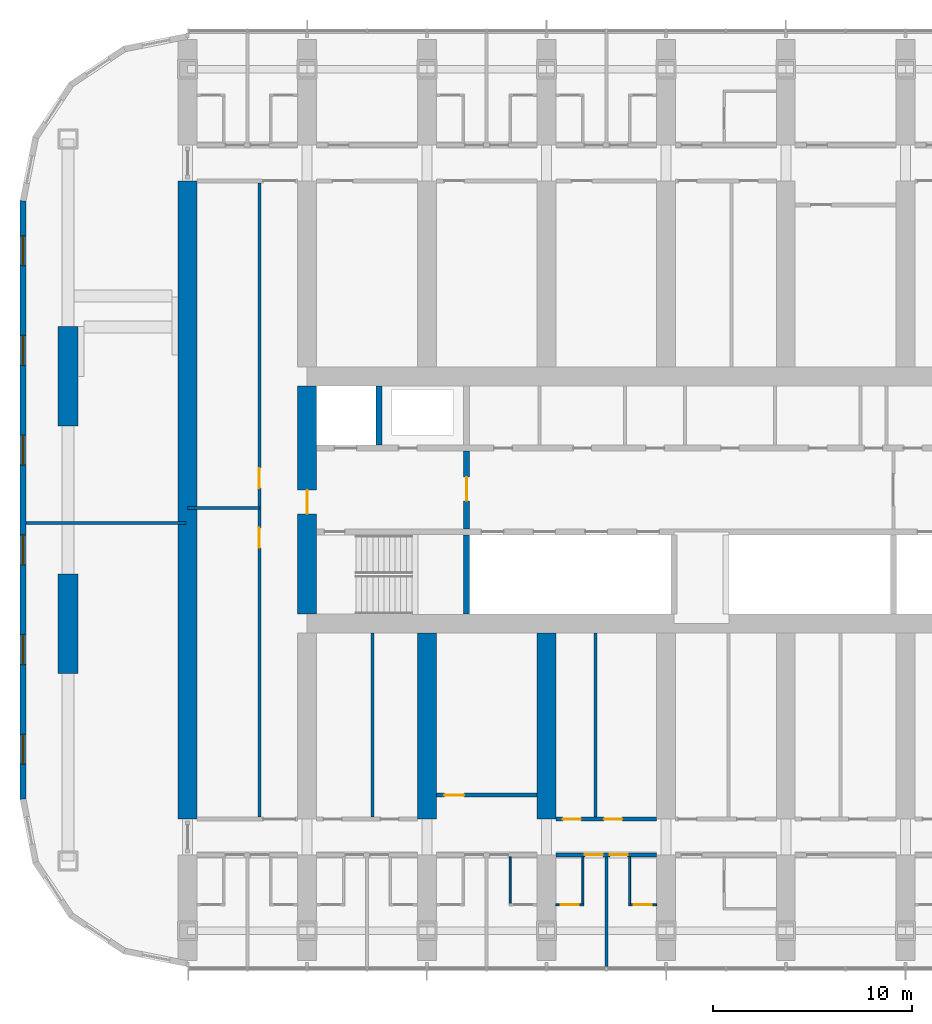
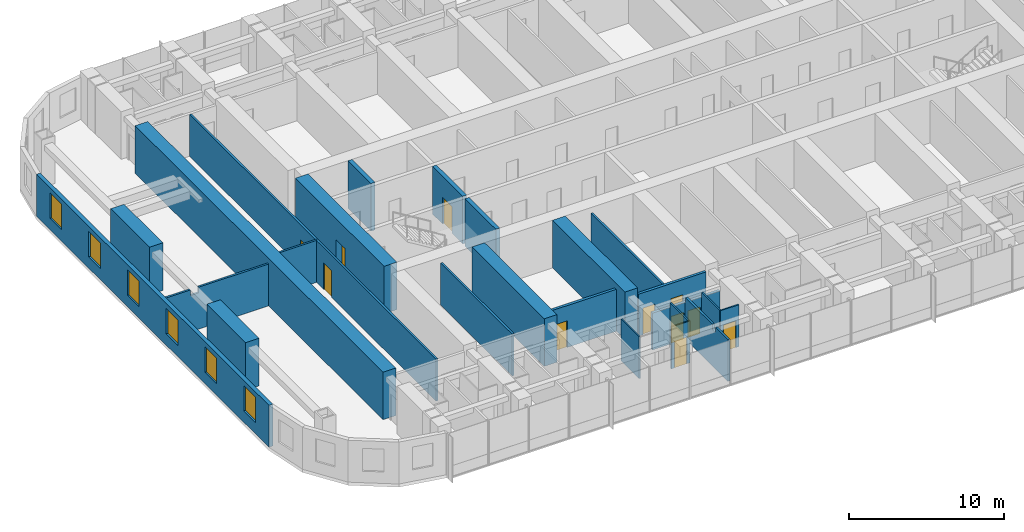
# One storey, part 9 of 22: 24 walls, 11 doors, 6 windows, 17 openings.
"""IFC4 building model written with IfcOpenShell, lengths in metres."""

from ifc_helpers import new_model, si_unit, direction, frame, frame_2d, origin, place, context, subcontext, project, spatial, polyline, rectangle, outline, extrude, material, layer, layer_set, type_object, element, fill, save


model = new_model("IFC4")

# Units and contexts
model_context = context("Model", 3, precision=1e-05, world=origin(), true_north=direction((0.0, 1.0)))
body_context = subcontext(model_context, "Body", "Model", "MODEL_VIEW")
ifc_project = project(units=[si_unit("LENGTHUNIT", "METRE"), si_unit("AREAUNIT", "SQUARE_METRE"), si_unit("VOLUMEUNIT", "CUBIC_METRE"), si_unit("PLANEANGLEUNIT", "RADIAN"), si_unit("MASSUNIT", "GRAM", prefix="KILO")], contexts=[model_context])

# Site, building, storey
site_placement = place(None, origin())
site = spatial("IfcSite", under=ifc_project, at=site_placement, CompositionType="ELEMENT")
building_placement = place(site_placement, origin())
building = spatial("IfcBuilding", under=site, at=building_placement, Name="Orbita Commons", CompositionType="ELEMENT")
storey_placement = place(building_placement, frame((0.0, 0.0, 80.64990234375)))
storey = spatial("IfcBuildingStorey", under=building, at=storey_placement, Name="L19", CompositionType="ELEMENT", Elevation=80.64990234375)

# Wall
ifc_material_1 = material(Name="Concrete C50/60", Category="concrete")
ifc_layer_1 = layer(ifc_material_1, 0.300048828125)
ifc_layer_set_1 = layer_set([ifc_layer_1], Name="Concrete C50/60")
wall_type_1 = type_object("IfcWallType", Name="Core inner wall 300 C50/60", PredefinedType="SHEAR", material=ifc_layer_set_1)
wall_1_placement = place(storey_placement, frame((26.0, 26.27490234375, 0.0), z_axis=(0.0, 0.0, 1.0), x_axis=(0.0, 1.0, 0.0)))
element("IfcWall", 1, at=wall_1_placement, inside=storey, type_object=wall_type_1, Name="Stair S1 wall L19", PredefinedType="SHEAR", context=body_context, shape_type="SweptSolid", body=[
    extrude(rectangle(XDim=3.97509765625, YDim=0.300048828125, at=frame_2d((1.987548828125, 0.0))), origin(), (0.0, 0.0, 1.0), 3.75),
])

# Wall, opening, door
wall_2_placement = place(storey_placement, frame((26.0, 30.550048828125, 0.0), z_axis=(0.0, 0.0, 1.0), x_axis=(0.0, 1.0, 0.0)))
wall_2 = element("IfcWall", 2, at=wall_2_placement, inside=storey, type_object=wall_type_1, Name="Firefighting lobby wall west L19", PredefinedType="SHEAR", context=body_context, shape_type="SweptSolid", body=[
    extrude(rectangle(XDim=3.89990234375, YDim=0.300048828125, at=frame_2d((1.949951171875, 0.0))), origin(), (0.0, 0.0, 1.0), 3.75),
])
opening_1_placement = place(wall_2_placement, frame((1.39990234375, 0.0, 0.0)))
opening_1 = element("IfcOpeningElement", 3, at=opening_1_placement, cuts=wall_2, Name="Opening D04", PredefinedType="OPENING", context=body_context, shape_type="SweptSolid", body=[
    extrude(rectangle(XDim=1.199951171875, YDim=2.10009765625, at=frame_2d((0.60009765625, 1.050048828125))), frame((0.0, 0.159912109375, 0.0), z_axis=(0.0, -1.0, 0.0), x_axis=(1.0, 0.0, 0.0)), (0.0, 0.0, 1.0), 0.320068359375),
])
ifc_material_2 = material(Name="Steel-faced fire door leaf", Category="steel")
door_type_1 = type_object("IfcDoorType", Name="Service door 20 min 1200x2100", OperationType="SINGLE_SWING_LEFT", PredefinedType="DOOR", material=ifc_material_2)
door_1_placement = place(opening_1_placement, origin())
door_1 = element("IfcDoor", 4, at=door_1_placement, inside=storey, type_object=door_type_1, Name="Lift lobby door west", OperationType="SINGLE_SWING_LEFT", OverallHeight=2.10009765625, OverallWidth=1.199951171875, PredefinedType="DOOR", context=body_context, shape_type="SweptSolid", body=[
    extrude(rectangle(XDim=1.199951171875, YDim=2.10009765625, at=frame_2d((0.60009765625, 1.050048828125))), frame((0.0, 0.02490234375, 0.0), z_axis=(0.0, -1.0, 0.0), x_axis=(1.0, 0.0, 0.0)), (0.0, 0.0, 1.0), 0.050048828125),
])
fill(opening_1, door_1)

# Wall
wall_3_placement = place(storey_placement, frame((21.60009765625, 34.75, 0.0), z_axis=(0.0, 0.0, 1.0), x_axis=(0.0, 1.0, 0.0)))
element("IfcWall", 5, at=wall_3_placement, inside=storey, type_object=wall_type_1, Name="Firefighting lift FL1 shaft wall L19", PredefinedType="SHEAR", context=body_context, shape_type="SweptSolid", body=[
    extrude(rectangle(XDim=2.97509765625, YDim=0.300048828125, at=frame_2d((1.487548828125, 0.0))), origin(), (0.0, 0.0, 1.0), 3.75),
])

# Wall, opening, door
ifc_material_3 = material(Name="Concrete C50/60", Category="concrete")
ifc_layer_2 = layer(ifc_material_3, 0.949951171875)
ifc_layer_set_2 = layer_set([ifc_layer_2], Name="Concrete C50/60")
wall_type_2 = type_object("IfcWallType", Name="Core wall 950 C50/60", PredefinedType="SHEAR", material=ifc_layer_set_2)
wall_4_placement = place(storey_placement, frame((18.0, 26.27490234375, 0.0), z_axis=(0.0, 0.0, 1.0), x_axis=(0.0, 1.0, 0.0)))
wall_4 = element("IfcWall", 6, at=wall_4_placement, inside=storey, type_object=wall_type_2, Name="Core end wall west L19", PredefinedType="SHEAR", context=body_context, shape_type="SweptSolid", body=[
    extrude(rectangle(XDim=11.4501953125, YDim=0.949951171875, at=frame_2d((5.72509765625, 0.0))), origin(), (0.0, 0.0, 1.0), 3.75),
])
opening_2_placement = place(wall_4_placement, frame((5.02490234375, 0.0, 0.0)))
opening_2 = element("IfcOpeningElement", 7, at=opening_2_placement, cuts=wall_4, Name="Opening D01", PredefinedType="OPENING", context=body_context, shape_type="SweptSolid", body=[
    extrude(rectangle(XDim=1.199951171875, YDim=2.10009765625, at=frame_2d((0.60009765625, 1.050048828125))), frame((0.0, 0.48486328125, 0.0), z_axis=(0.0, -1.0, 0.0), x_axis=(1.0, 0.0, 0.0)), (0.0, 0.0, 1.0), 0.969970703125),
])
ifc_material_4 = material(Name="Steel-faced fire door leaf", Category="steel")
door_type_2 = type_object("IfcDoorType", Name="Fire door 90 min 1200x2100", OperationType="SINGLE_SWING_LEFT", PredefinedType="DOOR", material=ifc_material_4)
door_2_placement = place(opening_2_placement, origin())
door_2 = element("IfcDoor", 8, at=door_2_placement, inside=storey, type_object=door_type_2, Name="Firefighting lobby west door", OperationType="SINGLE_SWING_LEFT", OverallHeight=2.10009765625, OverallWidth=1.199951171875, PredefinedType="DOOR", context=body_context, shape_type="SweptSolid", body=[
    extrude(rectangle(XDim=1.199951171875, YDim=2.10009765625, at=frame_2d((0.60009765625, 1.050048828125))), frame((0.0, 0.02490234375, 0.0), z_axis=(0.0, -1.0, 0.0), x_axis=(1.0, 0.0, 0.0)), (0.0, 0.0, 1.0), 0.050048828125),
])
fill(opening_2, door_2)

# Wall, openings, doors
ifc_material_5 = material(Name="Concrete blockwork", Category="masonry")
ifc_layer_3 = layer(ifc_material_5, 0.199951171875)
ifc_layer_set_3 = layer_set([ifc_layer_3], Name="Concrete blockwork")
wall_type_3 = type_object("IfcWallType", Name="Corridor wall 200 blockwork", PredefinedType="SOLIDWALL", material=ifc_layer_set_3)
wall_5_placement = place(storey_placement, frame((30.47509765625, 14.199951171875, 0.0), z_axis=(0.0, 0.0, 1.0), x_axis=(1.0, 0.0, 0.0)))
wall_5 = element("IfcWall", 9, at=wall_5_placement, inside=storey, type_object=wall_type_3, Name="Corridor wall 200 blockwork L19", PredefinedType="SOLIDWALL", context=body_context, shape_type="SweptSolid", body=[
    extrude(outline(polyline([(0.0, 0.0), (5.0498046875, 0.0), (5.050048828125, 2.900146484375), (0.0, 2.900146484375), (0.0, 0.0)])), frame((0.0, 0.10009765625, 0.0), z_axis=(0.0, -1.0, 0.0), x_axis=(1.0, 0.0, 0.0)), (0.0, 0.0, 1.0), 0.199951171875),
])
opening_3_placement = place(wall_5_placement, frame((1.449951171875, 0.0, 0.0)))
opening_3 = element("IfcOpeningElement", 10, at=opening_3_placement, cuts=wall_5, Name="Opening D11", PredefinedType="OPENING", context=body_context, shape_type="SweptSolid", body=[
    extrude(rectangle(XDim=0.89990234375, YDim=2.10009765625, at=frame_2d((0.449951171875, 1.050048828125))), frame((0.0, 0.10986328125, 0.0), z_axis=(0.0, -1.0, 0.0), x_axis=(1.0, 0.0, 0.0)), (0.0, 0.0, 1.0), 0.219970703125),
])
opening_4_placement = place(wall_5_placement, frame((2.699951171875, 0.0, 0.0)))
opening_4 = element("IfcOpeningElement", 11, at=opening_4_placement, cuts=wall_5, Name="Opening D11", PredefinedType="OPENING", context=body_context, shape_type="SweptSolid", body=[
    extrude(rectangle(XDim=0.89990234375, YDim=2.10009765625, at=frame_2d((0.449951171875, 1.050048828125))), frame((0.0, 0.10986328125, 0.0), z_axis=(0.0, -1.0, 0.0), x_axis=(1.0, 0.0, 0.0)), (0.0, 0.0, 1.0), 0.219970703125),
])
ifc_material_6 = material(Name="Steel-faced fire door leaf", Category="steel")
door_type_3 = type_object("IfcDoorType", Name="Corridor door 20 min 900x2100", OperationType="SINGLE_SWING_LEFT", PredefinedType="DOOR", material=ifc_material_6)
door_3_placement = place(opening_3_placement, origin())
door_3 = element("IfcDoor", 12, at=door_3_placement, inside=storey, type_object=door_type_3, Name="Cluster bedroom L19-S06 door", OperationType="SINGLE_SWING_LEFT", OverallHeight=2.10009765625, OverallWidth=0.89990234375, PredefinedType="DOOR", context=body_context, shape_type="SweptSolid", body=[
    extrude(rectangle(XDim=0.89990234375, YDim=2.10009765625, at=frame_2d((0.449951171875, 1.050048828125))), frame((0.0, 0.02490234375, 0.0), z_axis=(0.0, -1.0, 0.0), x_axis=(1.0, 0.0, 0.0)), (0.0, 0.0, 1.0), 0.050048828125),
])
fill(opening_3, door_3)
door_4_placement = place(opening_4_placement, origin())
door_4 = element("IfcDoor", 13, at=door_4_placement, inside=storey, type_object=door_type_3, Name="Cluster bedroom L19-S07 door", OperationType="SINGLE_SWING_LEFT", OverallHeight=2.10009765625, OverallWidth=0.89990234375, PredefinedType="DOOR", context=body_context, shape_type="SweptSolid", body=[
    extrude(rectangle(XDim=0.89990234375, YDim=2.10009765625, at=frame_2d((0.449951171875, 1.050048828125))), frame((0.0, 0.02490234375, 0.0), z_axis=(0.0, -1.0, 0.0), x_axis=(1.0, 0.0, 0.0)), (0.0, 0.0, 1.0), 0.050048828125),
])
fill(opening_4, door_4)

ifc_material_7 = material(Name="Hollow concrete block 200", Category="concrete")
ifc_layer_4 = layer(ifc_material_7, 0.199951171875)
ifc_layer_set_4 = layer_set([ifc_layer_4], Name="Hollow concrete block 200")
wall_type_4 = type_object("IfcWallType", Name="Corridor wall 200 hollow concrete block", PredefinedType="SOLIDWALL", material=ifc_layer_set_4)
wall_6_placement = place(storey_placement, frame((30.47509765625, 16.0, 0.0), z_axis=(0.0, 0.0, 1.0), x_axis=(1.0, 0.0, 0.0)))
wall_6 = element("IfcWall", 14, at=wall_6_placement, inside=storey, type_object=wall_type_4, Name="Corridor wall 200 hollow concrete block L19", PredefinedType="SOLIDWALL", context=body_context, shape_type="SweptSolid", body=[
    extrude(rectangle(XDim=5.0498046875, YDim=0.199951171875, at=frame_2d((2.52490234375, 0.0))), origin(), (0.0, 0.0, 1.0), 3.300048828125),
])
opening_5_placement = place(wall_6_placement, frame((0.35009765625, 0.0, 0.0)))
opening_5 = element("IfcOpeningElement", 15, at=opening_5_placement, cuts=wall_6, Name="Opening D11", PredefinedType="OPENING", context=body_context, shape_type="SweptSolid", body=[
    extrude(rectangle(XDim=0.89990234375, YDim=2.10009765625, at=frame_2d((0.449951171875, 1.050048828125))), frame((0.0, 0.10986328125, 0.0), z_axis=(0.0, -1.0, 0.0), x_axis=(1.0, 0.0, 0.0)), (0.0, 0.0, 1.0), 0.219970703125),
])
opening_6_placement = place(wall_6_placement, frame((2.4150390625, 0.0, 0.0)))
opening_6 = element("IfcOpeningElement", 16, at=opening_6_placement, cuts=wall_6, Name="Opening D11", PredefinedType="OPENING", context=body_context, shape_type="SweptSolid", body=[
    extrude(rectangle(XDim=0.89990234375, YDim=2.10009765625, at=frame_2d((0.449951171875, 1.050048828125))), frame((0.0, 0.10986328125, 0.0), z_axis=(0.0, -1.0, 0.0), x_axis=(1.0, 0.0, 0.0)), (0.0, 0.0, 1.0), 0.219970703125),
])
door_5_placement = place(opening_5_placement, origin())
door_5 = element("IfcDoor", 17, at=door_5_placement, inside=storey, type_object=door_type_3, Name="Equipment store L19-BDS30n door", OperationType="SINGLE_SWING_LEFT", OverallHeight=2.10009765625, OverallWidth=0.89990234375, PredefinedType="DOOR", context=body_context, shape_type="SweptSolid", body=[
    extrude(rectangle(XDim=0.89990234375, YDim=2.10009765625, at=frame_2d((0.449951171875, 1.050048828125))), frame((0.0, 0.02490234375, 0.0), z_axis=(0.0, -1.0, 0.0), x_axis=(1.0, 0.0, 0.0)), (0.0, 0.0, 1.0), 0.050048828125),
])
fill(opening_5, door_5)
door_6_placement = place(opening_6_placement, origin())
door_6 = element("IfcDoor", 18, at=door_6_placement, inside=storey, type_object=door_type_3, Name="Bicycle repair workshop L19-BDS30 door", OperationType="SINGLE_SWING_LEFT", OverallHeight=2.10009765625, OverallWidth=0.89990234375, PredefinedType="DOOR", context=body_context, shape_type="SweptSolid", body=[
    extrude(rectangle(XDim=0.89990234375, YDim=2.10009765625, at=frame_2d((0.449951171875, 1.050048828125))), frame((0.0, 0.02490234375, 0.0), z_axis=(0.0, -1.0, 0.0), x_axis=(1.0, 0.0, 0.0)), (0.0, 0.0, 1.0), 0.050048828125),
])
fill(opening_6, door_6)

# Wall, opening, door
wall_7_placement = place(storey_placement, frame((24.47509765625, 17.199951171875, 0.0), z_axis=(0.0, 0.0, 1.0), x_axis=(1.0, 0.0, 0.0)))
wall_7 = element("IfcWall", 19, at=wall_7_placement, inside=storey, type_object=wall_type_4, Name="Corridor wall 200 hollow concrete block L19", PredefinedType="SOLIDWALL", context=body_context, shape_type="SweptSolid", body=[
    extrude(rectangle(XDim=5.0498046875, YDim=0.199951171875, at=frame_2d((2.52490234375, 0.0))), origin(), (0.0, 0.0, 1.0), 3.300048828125),
])
opening_7_placement = place(wall_7_placement, frame((0.39990234375, 0.0, 0.0)))
opening_7 = element("IfcOpeningElement", 20, at=opening_7_placement, cuts=wall_7, Name="Opening D06", PredefinedType="OPENING", context=body_context, shape_type="SweptSolid", body=[
    extrude(rectangle(XDim=1.0, YDim=2.10009765625, at=frame_2d((0.5, 1.050048828125))), frame((0.0, 0.10986328125, 0.0), z_axis=(0.0, -1.0, 0.0), x_axis=(1.0, 0.0, 0.0)), (0.0, 0.0, 1.0), 0.219970703125),
])
ifc_material_8 = material(Name="Steel-faced fire door leaf", Category="steel")
door_type_4 = type_object("IfcDoorType", Name="Corridor door 20 min 1000x2100", OperationType="SINGLE_SWING_LEFT", PredefinedType="DOOR", material=ifc_material_8)
door_7_placement = place(opening_7_placement, origin())
door_7 = element("IfcDoor", 21, at=door_7_placement, inside=storey, type_object=door_type_4, Name="Quiet room L19-BDS24 door", OperationType="SINGLE_SWING_LEFT", OverallHeight=2.10009765625, OverallWidth=1.0, PredefinedType="DOOR", context=body_context, shape_type="SweptSolid", body=[
    extrude(rectangle(XDim=1.0, YDim=2.10009765625, at=frame_2d((0.5, 1.050048828125))), frame((0.0, 0.02490234375, 0.0), z_axis=(0.0, -1.0, 0.0), x_axis=(1.0, 0.0, 0.0)), (0.0, 0.0, 1.0), 0.050048828125),
])
fill(opening_7, door_7)

# Walls
ifc_material_9 = material(Name="Concrete C50/60", Category="concrete")
ifc_layer_5 = layer(ifc_material_9, 0.949951171875)
ifc_layer_set_5 = layer_set([ifc_layer_5], Name="Concrete C50/60")
wall_type_5 = type_object("IfcWallType", Name="Cross wall 950 C50/60", PredefinedType="SHEAR", material=ifc_layer_set_5)
wall_8_placement = place(storey_placement, frame((12.0, 16.0, 0.0), z_axis=(0.0, 0.0, 1.0), x_axis=(0.0, 1.0, 0.0)))
element("IfcWall", 22, at=wall_8_placement, inside=storey, type_object=wall_type_5, Name="Cross wall 3 inner L19", PredefinedType="SHEAR", context=body_context, shape_type="SweptSolid", body=[
    extrude(rectangle(XDim=32.0, YDim=0.949951171875, at=frame_2d((16.0, 0.0))), origin(), (0.0, 0.0, 1.0), 3.75),
])
for number, where, z_axis, x_axis, name in (
    (23, (24.0, 16.0, 0.0), (0.0, 0.0, 1.0), (0.0, 1.0, 0.0), "Cross wall 5 south inner L19"),
    (24, (30.0, 16.0, 0.0), (0.0, 0.0, 1.0), (0.0, 1.0, 0.0), "Cross wall 6 south inner L19"),
):
    element("IfcWall", number, at=place(storey_placement, frame(where, z_axis=z_axis, x_axis=x_axis)), inside=storey, type_object=wall_type_5, Name=name, PredefinedType="SHEAR", context=body_context, shape_type="SweptSolid", body=[
        extrude(rectangle(XDim=9.324951171875, YDim=0.949951171875, at=frame_2d((4.66259765625, 0.0))), origin(), (0.0, 0.0, 1.0), 3.75),
    ])
ifc_material_10 = material(Name="Moisture-resistant plasterboard on steel studs", Category="steel")
ifc_layer_6 = layer(ifc_material_10, 0.10009765625)
ifc_layer_set_6 = layer_set([ifc_layer_6], Name="Moisture-resistant plasterboard on steel studs")
wall_type_6 = type_object("IfcWallType", Name="En-suite partition 100", PredefinedType="PARTITIONING", material=ifc_layer_set_6)
wall_9_placement = place(storey_placement, frame((28.175048828125, 11.75, 0.0), z_axis=(0.0, 0.0, 1.0), x_axis=(0.0, 1.0, 0.0)))
element("IfcWall", 25, at=wall_9_placement, inside=storey, type_object=wall_type_6, Name="En-suite partition 100 L19", PredefinedType="PARTITIONING", context=body_context, shape_type="SweptSolid", body=[
    extrude(outline(polyline([(0.0, 0.0), (2.35009765625, 0.0), (2.35009765625, 2.900146484375), (2.302001953125, 2.900146484375), (2.300048828125, 3.300048828125), (0.0, 3.300048828125), (0.0, 0.0)])), frame((0.0, 0.050048828125, 0.0), z_axis=(0.0, -1.0, 0.0), x_axis=(1.0, 0.0, 0.0)), (0.0, 0.0, 1.0), 0.10009765625),
])

# Wall, opening, door
wall_10_placement = place(storey_placement, frame((31.875, 11.699951171875, 0.0), z_axis=(0.0, 0.0, 1.0), x_axis=(-1.0, 0.0, 0.0)))
wall_10 = element("IfcWall", 26, at=wall_10_placement, inside=storey, type_object=wall_type_6, Name="En-suite partition 100 L19", PredefinedType="PARTITIONING", context=body_context, shape_type="SweptSolid", body=[
    extrude(rectangle(XDim=1.39990234375, YDim=0.10009765625, at=frame_2d((0.699951171875, 0.0))), origin(), (0.0, 0.0, 1.0), 3.300048828125),
])
opening_8_placement = place(wall_10_placement, frame((0.25, 0.0, 0.0)))
opening_8 = element("IfcOpeningElement", 27, at=opening_8_placement, cuts=wall_10, Name="Opening D09", PredefinedType="OPENING", context=body_context, shape_type="SweptSolid", body=[
    extrude(rectangle(XDim=0.89990234375, YDim=2.10009765625, at=frame_2d((0.449951171875, 1.050048828125))), frame((0.0, 0.06005859375, 0.0), z_axis=(0.0, -1.0, 0.0), x_axis=(1.0, 0.0, 0.0)), (0.0, 0.0, 1.0), 0.1201171875),
])
ifc_material_11 = material(Name="Laminated timber door leaf", Category="wood")
door_type_5 = type_object("IfcDoorType", Name="En-suite door 900x2100", OperationType="SINGLE_SWING_RIGHT", PredefinedType="DOOR", material=ifc_material_11)
door_8_placement = place(opening_8_placement, origin())
door_8 = element("IfcDoor", 28, at=door_8_placement, inside=storey, type_object=door_type_5, Name="En-suite L19-S06 door", OperationType="SINGLE_SWING_RIGHT", OverallHeight=2.10009765625, OverallWidth=0.89990234375, PredefinedType="DOOR", context=body_context, shape_type="SweptSolid", body=[
    extrude(rectangle(XDim=0.89990234375, YDim=2.10009765625, at=frame_2d((0.449951171875, 1.050048828125))), frame((0.0, 0.02490234375, 0.0), z_axis=(0.0, -1.0, 0.0), x_axis=(1.0, 0.0, 0.0)), (0.0, 0.0, 1.0), 0.050048828125),
])
fill(opening_8, door_8)

# Wall
wall_11_placement = place(storey_placement, frame((31.824951171875, 11.75, 0.0), z_axis=(0.0, 0.0, 1.0), x_axis=(0.0, 1.0, 0.0)))
element("IfcWall", 29, at=wall_11_placement, inside=storey, type_object=wall_type_6, Name="En-suite partition 100 L19", PredefinedType="PARTITIONING", context=body_context, shape_type="SweptSolid", body=[
    extrude(outline(polyline([(0.0, 0.0), (2.35009765625, 0.0), (2.35009765625, 2.900146484375), (2.302001953125, 2.900146484375), (2.300048828125, 3.300048828125), (0.0, 3.300048828125), (0.0, 0.0)])), frame((0.0, 0.050048828125, 0.0), z_axis=(0.0, -1.0, 0.0), x_axis=(1.0, 0.0, 0.0)), (0.0, 0.0, 1.0), 0.10009765625),
])

# Wall, opening, door
wall_12_placement = place(storey_placement, frame((35.52490234375, 11.699951171875, 0.0), z_axis=(0.0, 0.0, 1.0), x_axis=(-1.0, 0.0, 0.0)))
wall_12 = element("IfcWall", 30, at=wall_12_placement, inside=storey, type_object=wall_type_6, Name="En-suite partition 100 L19", PredefinedType="PARTITIONING", context=body_context, shape_type="SweptSolid", body=[
    extrude(rectangle(XDim=1.39990234375, YDim=0.10009765625, at=frame_2d((0.699951171875, 0.0))), origin(), (0.0, 0.0, 1.0), 3.300048828125),
])
opening_9_placement = place(wall_12_placement, frame((0.25, 0.0, 0.0)))
opening_9 = element("IfcOpeningElement", 31, at=opening_9_placement, cuts=wall_12, Name="Opening D09", PredefinedType="OPENING", context=body_context, shape_type="SweptSolid", body=[
    extrude(rectangle(XDim=0.89990234375, YDim=2.10009765625, at=frame_2d((0.449951171875, 1.050048828125))), frame((0.0, 0.06005859375, 0.0), z_axis=(0.0, -1.0, 0.0), x_axis=(1.0, 0.0, 0.0)), (0.0, 0.0, 1.0), 0.1201171875),
])
door_9_placement = place(opening_9_placement, origin())
door_9 = element("IfcDoor", 32, at=door_9_placement, inside=storey, type_object=door_type_5, Name="En-suite L19-S07 door", OperationType="SINGLE_SWING_RIGHT", OverallHeight=2.10009765625, OverallWidth=0.89990234375, PredefinedType="DOOR", context=body_context, shape_type="SweptSolid", body=[
    extrude(rectangle(XDim=0.89990234375, YDim=2.10009765625, at=frame_2d((0.449951171875, 1.050048828125))), frame((0.0, 0.02490234375, 0.0), z_axis=(0.0, -1.0, 0.0), x_axis=(1.0, 0.0, 0.0)), (0.0, 0.0, 1.0), 0.050048828125),
])
fill(opening_9, door_9)

# Walls
wall_13_placement = place(storey_placement, frame((34.175048828125, 11.75, 0.0), z_axis=(0.0, 0.0, 1.0), x_axis=(0.0, 1.0, 0.0)))
element("IfcWall", 33, at=wall_13_placement, inside=storey, type_object=wall_type_6, Name="En-suite partition 100 L19", PredefinedType="PARTITIONING", context=body_context, shape_type="SweptSolid", body=[
    extrude(outline(polyline([(0.0, 0.0), (2.35009765625, 0.0), (2.35009765625, 2.900146484375), (2.302001953125, 2.900146484375), (2.300048828125, 3.300048828125), (0.0, 3.300048828125), (0.0, 0.0)])), frame((0.0, 0.050048828125, 0.0), z_axis=(0.0, -1.0, 0.0), x_axis=(1.0, 0.0, 0.0)), (0.0, 0.0, 1.0), 0.10009765625),
])
ifc_material_12 = material(Name="Concrete C50/60", Category="concrete")
ifc_layer_7 = layer(ifc_material_12, 1.0)
ifc_layer_set_7 = layer_set([ifc_layer_7], Name="Concrete C50/60")
wall_type_7 = type_object("IfcWallType", Name="End pier 1000x5000 C50/60", PredefinedType="SHEAR", material=ifc_layer_set_7)
for number, where, z_axis, x_axis, name in (
    (34, (6.0, 23.300048828125, 0.0), (0.0, 0.0, 1.0), (0.0, 1.0, 0.0), "End pier 2/C L19"),
    (35, (6.0, 35.699951171875, 0.0), (0.0, 0.0, 1.0), (0.0, 1.0, 0.0), "End pier 2/D L19"),
):
    element("IfcWall", number, at=place(storey_placement, frame(where, z_axis=z_axis, x_axis=x_axis)), inside=storey, type_object=wall_type_7, Name=name, PredefinedType="SHEAR", context=body_context, shape_type="SweptSolid", body=[
        extrude(rectangle(XDim=5.0, YDim=1.0, at=frame_2d((2.5, 0.0))), origin(), (0.0, 0.0, 1.0), 3.75),
    ])
ifc_material_13 = material(Name="Gypsum plasterboard on steel studs", Category="steel")
ifc_layer_8 = layer(ifc_material_13, 0.14990234375)
ifc_layer_set_8 = layer_set([ifc_layer_8], Name="Gypsum plasterboard on steel studs")
wall_type_8 = type_object("IfcWallType", Name="Partition 150 plasterboard", PredefinedType="PARTITIONING", material=ifc_layer_set_8)
for number, where, z_axis, x_axis, name in (
    (36, (21.264892578125, 16.10009765625, 0.0), (0.0, 0.0, 1.0), (0.0, 1.0, 0.0), "Partition 150 plasterboard L19"),
    (37, (32.465087890625, 16.10009765625, 0.0), (0.0, 0.0, 1.0), (0.0, 1.0, 0.0), "Partition 150 plasterboard L19"),
):
    element("IfcWall", number, at=place(storey_placement, frame(where, z_axis=z_axis, x_axis=x_axis)), inside=storey, type_object=wall_type_8, Name=name, PredefinedType="PARTITIONING", context=body_context, shape_type="SweptSolid", body=[
        extrude(rectangle(XDim=9.224853515625, YDim=0.14990234375, at=frame_2d((4.6123046875, 0.0))), origin(), (0.0, 0.0, 1.0), 3.300048828125),
    ])

# Wall, openings, doors
wall_14_placement = place(storey_placement, frame((15.60009765625, 16.10009765625, 0.0), z_axis=(0.0, 0.0, 1.0), x_axis=(0.0, 1.0, 0.0)))
wall_14 = element("IfcWall", 38, at=wall_14_placement, inside=storey, type_object=wall_type_8, Name="Partition 150 plasterboard L19", PredefinedType="PARTITIONING", context=body_context, shape_type="SweptSolid", body=[
    extrude(rectangle(XDim=31.7998046875, YDim=0.14990234375, at=frame_2d((15.89990234375, 0.0))), origin(), (0.0, 0.0, 1.0), 3.300048828125),
])
opening_10_placement = place(wall_14_placement, frame((13.5, 0.0, 0.0)))
opening_10 = element("IfcOpeningElement", 39, at=opening_10_placement, cuts=wall_14, Name="Opening D06", PredefinedType="OPENING", context=body_context, shape_type="SweptSolid", body=[
    extrude(rectangle(XDim=1.0, YDim=2.10009765625, at=frame_2d((0.5, 1.050048828125))), frame((0.0, 0.0849609375, 0.0), z_axis=(0.0, -1.0, 0.0), x_axis=(1.0, 0.0, 0.0)), (0.0, 0.0, 1.0), 0.169921875),
])
opening_11_placement = place(wall_14_placement, frame((16.5, 0.0, 0.0)))
opening_11 = element("IfcOpeningElement", 40, at=opening_11_placement, cuts=wall_14, Name="Opening D06", PredefinedType="OPENING", context=body_context, shape_type="SweptSolid", body=[
    extrude(rectangle(XDim=1.0, YDim=2.10009765625, at=frame_2d((0.5, 1.050048828125))), frame((0.0, 0.0849609375, 0.0), z_axis=(0.0, -1.0, 0.0), x_axis=(1.0, 0.0, 0.0)), (0.0, 0.0, 1.0), 0.169921875),
])
door_10_placement = place(opening_10_placement, origin())
door_10 = element("IfcDoor", 41, at=door_10_placement, inside=storey, type_object=door_type_4, Name="Interview room door", OperationType="SINGLE_SWING_LEFT", OverallHeight=2.10009765625, OverallWidth=1.0, PredefinedType="DOOR", context=body_context, shape_type="SweptSolid", body=[
    extrude(rectangle(XDim=1.0, YDim=2.10009765625, at=frame_2d((0.5, 1.050048828125))), frame((0.0, 0.02490234375, 0.0), z_axis=(0.0, -1.0, 0.0), x_axis=(1.0, 0.0, 0.0)), (0.0, 0.0, 1.0), 0.050048828125),
])
fill(opening_10, door_10)
door_11_placement = place(opening_11_placement, origin())
door_11 = element("IfcDoor", 42, at=door_11_placement, inside=storey, type_object=door_type_4, Name="Prayer room door", OperationType="SINGLE_SWING_LEFT", OverallHeight=2.10009765625, OverallWidth=1.0, PredefinedType="DOOR", context=body_context, shape_type="SweptSolid", body=[
    extrude(rectangle(XDim=1.0, YDim=2.10009765625, at=frame_2d((0.5, 1.050048828125))), frame((0.0, 0.02490234375, 0.0), z_axis=(0.0, -1.0, 0.0), x_axis=(1.0, 0.0, 0.0)), (0.0, 0.0, 1.0), 0.050048828125),
])
fill(opening_11, door_11)

# Walls
wall_15_placement = place(storey_placement, frame((12.0, 31.60009765625, 0.0), z_axis=(0.0, 0.0, 1.0), x_axis=(1.0, 0.0, 0.0)))
element("IfcWall", 43, at=wall_15_placement, inside=storey, type_object=wall_type_8, Name="Partition 150 plasterboard L19", PredefinedType="PARTITIONING", context=body_context, shape_type="SweptSolid", body=[
    extrude(rectangle(XDim=3.60009765625, YDim=0.14990234375, at=frame_2d((1.800048828125, 0.0))), origin(), (0.0, 0.0, 1.0), 3.300048828125),
])
wall_16_placement = place(storey_placement, frame((3.905029296875, 30.85009765625, 0.0), z_axis=(0.0, 0.0, 1.0), x_axis=(1.0, 0.0, 0.0)))
element("IfcWall", 44, at=wall_16_placement, inside=storey, type_object=wall_type_8, Name="Partition 150 plasterboard L19", PredefinedType="PARTITIONING", context=body_context, shape_type="SweptSolid", body=[
    extrude(outline(polyline([(0.0, 0.0), (8.02001953125, 0.0), (8.02001953125, 3.300048828125), (2.39697265625, 3.300048828125), (2.39501953125, 2.85009765625), (1.797119140625, 2.85009765625), (1.794921875, 3.300048828125), (0.0, 3.300048828125), (0.0, 0.0)])), frame((0.0, 0.074951171875, 0.0), z_axis=(0.0, -1.0, 0.0), x_axis=(1.0, 0.0, 0.0)), (0.0, 0.0, 1.0), 0.14990234375),
])
ifc_material_14 = material(Name="Gypsum plasterboard on steel studs", Category="steel")
ifc_layer_9 = layer(ifc_material_14, 0.14990234375)
ifc_layer_set_9 = layer_set([ifc_layer_9], Name="Gypsum plasterboard on steel studs")
wall_type_9 = type_object("IfcWallType", Name="Party wall 150 plasterboard", PredefinedType="PARTITIONING", material=ifc_layer_set_9)
wall_17_placement = place(storey_placement, frame((33.0, 8.610107421875, 0.0), z_axis=(0.0, 0.0, 1.0), x_axis=(0.0, 1.0, 0.0)))
element("IfcWall", 45, at=wall_17_placement, inside=storey, type_object=wall_type_9, Name="Party wall 150 plasterboard L19", PredefinedType="PARTITIONING", context=body_context, shape_type="SweptSolid", body=[
    extrude(outline(polyline([(0.0, 0.0), (5.489990234375, 0.0), (5.489990234375, 2.900146484375), (5.44189453125, 2.900146484375), (5.43994140625, 3.300048828125), (1.991943359375, 3.300048828125), (1.989990234375, 2.900146484375), (1.592041015625, 2.900146484375), (1.590087890625, 3.300048828125), (0.0, 3.300048828125), (0.0, 0.0)])), frame((0.0, 0.074951171875, 0.0), z_axis=(0.0, -1.0, 0.0), x_axis=(1.0, 0.0, 0.0)), (0.0, 0.0, 1.0), 0.14990234375),
])

# Wall, openings, windows
ifc_material_15 = material(Name="Precast concrete C40/50, white board-marked finish", Category="concrete")
ifc_layer_10 = layer(ifc_material_15, 0.300048828125)
ifc_layer_set_10 = layer_set([ifc_layer_10], Name="Precast concrete C40/50, white board-marked finish")
wall_type_10 = type_object("IfcWallType", Name="Precast concrete end shield 300", PredefinedType="SOLIDWALL", material=ifc_layer_set_10)
wall_18_placement = place(storey_placement, frame((3.75, 47.0, 0.0), z_axis=(0.0, 0.0, 1.0), x_axis=(0.0, -1.0, 0.0)))
wall_18 = element("IfcWall", 46, at=wall_18_placement, inside=storey, type_object=wall_type_10, Name="End shield W L19", PredefinedType="SOLIDWALL", context=body_context, shape_type="SweptSolid", body=[
    extrude(outline(polyline([(-0.014892578125, -0.14990234375), (30.014892578125, -0.14990234375), (29.985107421875, 0.14990234375), (0.014892578125, 0.14990234375), (-0.014892578125, -0.14990234375)])), origin(), (0.0, 0.0, 1.0), 3.300048828125),
])
opening_12_placement = place(wall_18_placement, frame((1.75, 0.0, 0.89990234375)))
opening_12 = element("IfcOpeningElement", 47, at=opening_12_placement, cuts=wall_18, Name="Opening W01", PredefinedType="OPENING", context=body_context, shape_type="SweptSolid", body=[
    extrude(rectangle(XDim=1.5, YDim=2.0, at=frame_2d((0.75, 1.0))), frame((0.0, 0.159912109375, 0.0), z_axis=(0.0, -1.0, 0.0), x_axis=(1.0, 0.0, 0.0)), (0.0, 0.0, 1.0), 0.320068359375),
])
opening_13_placement = place(wall_18_placement, frame((6.75, 0.0, 0.89990234375)))
opening_13 = element("IfcOpeningElement", 48, at=opening_13_placement, cuts=wall_18, Name="Opening W01", PredefinedType="OPENING", context=body_context, shape_type="SweptSolid", body=[
    extrude(rectangle(XDim=1.5, YDim=2.0, at=frame_2d((0.75, 1.0))), frame((0.0, 0.159912109375, 0.0), z_axis=(0.0, -1.0, 0.0), x_axis=(1.0, 0.0, 0.0)), (0.0, 0.0, 1.0), 0.320068359375),
])
opening_14_placement = place(wall_18_placement, frame((11.75, 0.0, 0.89990234375)))
opening_14 = element("IfcOpeningElement", 49, at=opening_14_placement, cuts=wall_18, Name="Opening W01", PredefinedType="OPENING", context=body_context, shape_type="SweptSolid", body=[
    extrude(rectangle(XDim=1.5, YDim=2.0, at=frame_2d((0.75, 1.0))), frame((0.0, 0.159912109375, 0.0), z_axis=(0.0, -1.0, 0.0), x_axis=(1.0, 0.0, 0.0)), (0.0, 0.0, 1.0), 0.320068359375),
])
opening_15_placement = place(wall_18_placement, frame((16.75, 0.0, 0.89990234375)))
opening_15 = element("IfcOpeningElement", 50, at=opening_15_placement, cuts=wall_18, Name="Opening W01", PredefinedType="OPENING", context=body_context, shape_type="SweptSolid", body=[
    extrude(rectangle(XDim=1.5, YDim=2.0, at=frame_2d((0.75, 1.0))), frame((0.0, 0.159912109375, 0.0), z_axis=(0.0, -1.0, 0.0), x_axis=(1.0, 0.0, 0.0)), (0.0, 0.0, 1.0), 0.320068359375),
])
opening_16_placement = place(wall_18_placement, frame((21.75, 0.0, 0.89990234375)))
opening_16 = element("IfcOpeningElement", 51, at=opening_16_placement, cuts=wall_18, Name="Opening W01", PredefinedType="OPENING", context=body_context, shape_type="SweptSolid", body=[
    extrude(rectangle(XDim=1.5, YDim=2.0, at=frame_2d((0.75, 1.0))), frame((0.0, 0.159912109375, 0.0), z_axis=(0.0, -1.0, 0.0), x_axis=(1.0, 0.0, 0.0)), (0.0, 0.0, 1.0), 0.320068359375),
])
opening_17_placement = place(wall_18_placement, frame((26.75, 0.0, 0.89990234375)))
opening_17 = element("IfcOpeningElement", 52, at=opening_17_placement, cuts=wall_18, Name="Opening W01", PredefinedType="OPENING", context=body_context, shape_type="SweptSolid", body=[
    extrude(rectangle(XDim=1.5, YDim=2.0, at=frame_2d((0.75, 1.0))), frame((0.0, 0.159912109375, 0.0), z_axis=(0.0, -1.0, 0.0), x_axis=(1.0, 0.0, 0.0)), (0.0, 0.0, 1.0), 0.320068359375),
])
ifc_material_16 = material(Name="Aluminium frame, clear double glazing", Category="aluminium")
window_type = type_object("IfcWindowType", Name="Deep-set window 1500x2000", PartitioningType="SINGLE_PANEL", PredefinedType="WINDOW", material=ifc_material_16)
window_1_placement = place(opening_12_placement, origin())
window_1 = element("IfcWindow", 53, at=window_1_placement, inside=storey, type_object=window_type, Name="Window L19-W 1", OverallHeight=2.0, OverallWidth=1.5, PartitioningType="SINGLE_PANEL", PredefinedType="WINDOW", context=body_context, shape_type="SweptSolid", body=[
    extrude(rectangle(XDim=1.5, YDim=2.0, at=frame_2d((0.75, 1.0))), frame((0.0, 0.030029296875, 0.0), z_axis=(0.0, -1.0, 0.0), x_axis=(1.0, 0.0, 0.0)), (0.0, 0.0, 1.0), 0.06005859375),
])
fill(opening_12, window_1)
window_2_placement = place(opening_13_placement, origin())
window_2 = element("IfcWindow", 54, at=window_2_placement, inside=storey, type_object=window_type, Name="Window L19-W 2", OverallHeight=2.0, OverallWidth=1.5, PartitioningType="SINGLE_PANEL", PredefinedType="WINDOW", context=body_context, shape_type="SweptSolid", body=[
    extrude(rectangle(XDim=1.5, YDim=2.0, at=frame_2d((0.75, 1.0))), frame((0.0, 0.030029296875, 0.0), z_axis=(0.0, -1.0, 0.0), x_axis=(1.0, 0.0, 0.0)), (0.0, 0.0, 1.0), 0.06005859375),
])
fill(opening_13, window_2)
window_3_placement = place(opening_14_placement, origin())
window_3 = element("IfcWindow", 55, at=window_3_placement, inside=storey, type_object=window_type, Name="Window L19-W 3", OverallHeight=2.0, OverallWidth=1.5, PartitioningType="SINGLE_PANEL", PredefinedType="WINDOW", context=body_context, shape_type="SweptSolid", body=[
    extrude(rectangle(XDim=1.5, YDim=2.0, at=frame_2d((0.75, 1.0))), frame((0.0, 0.030029296875, 0.0), z_axis=(0.0, -1.0, 0.0), x_axis=(1.0, 0.0, 0.0)), (0.0, 0.0, 1.0), 0.06005859375),
])
fill(opening_14, window_3)
window_4_placement = place(opening_15_placement, origin())
window_4 = element("IfcWindow", 56, at=window_4_placement, inside=storey, type_object=window_type, Name="Window L19-W 4", OverallHeight=2.0, OverallWidth=1.5, PartitioningType="SINGLE_PANEL", PredefinedType="WINDOW", context=body_context, shape_type="SweptSolid", body=[
    extrude(rectangle(XDim=1.5, YDim=2.0, at=frame_2d((0.75, 1.0))), frame((0.0, 0.030029296875, 0.0), z_axis=(0.0, -1.0, 0.0), x_axis=(1.0, 0.0, 0.0)), (0.0, 0.0, 1.0), 0.06005859375),
])
fill(opening_15, window_4)
window_5_placement = place(opening_16_placement, origin())
window_5 = element("IfcWindow", 57, at=window_5_placement, inside=storey, type_object=window_type, Name="Window L19-W 5", OverallHeight=2.0, OverallWidth=1.5, PartitioningType="SINGLE_PANEL", PredefinedType="WINDOW", context=body_context, shape_type="SweptSolid", body=[
    extrude(rectangle(XDim=1.5, YDim=2.0, at=frame_2d((0.75, 1.0))), frame((0.0, 0.030029296875, 0.0), z_axis=(0.0, -1.0, 0.0), x_axis=(1.0, 0.0, 0.0)), (0.0, 0.0, 1.0), 0.06005859375),
])
fill(opening_16, window_5)
window_6_placement = place(opening_17_placement, origin())
window_6 = element("IfcWindow", 58, at=window_6_placement, inside=storey, type_object=window_type, Name="Window L19-W 6", OverallHeight=2.0, OverallWidth=1.5, PartitioningType="SINGLE_PANEL", PredefinedType="WINDOW", context=body_context, shape_type="SweptSolid", body=[
    extrude(rectangle(XDim=1.5, YDim=2.0, at=frame_2d((0.75, 1.0))), frame((0.0, 0.030029296875, 0.0), z_axis=(0.0, -1.0, 0.0), x_axis=(1.0, 0.0, 0.0)), (0.0, 0.0, 1.0), 0.06005859375),
])
fill(opening_17, window_6)

save(model, "model.ifc")
